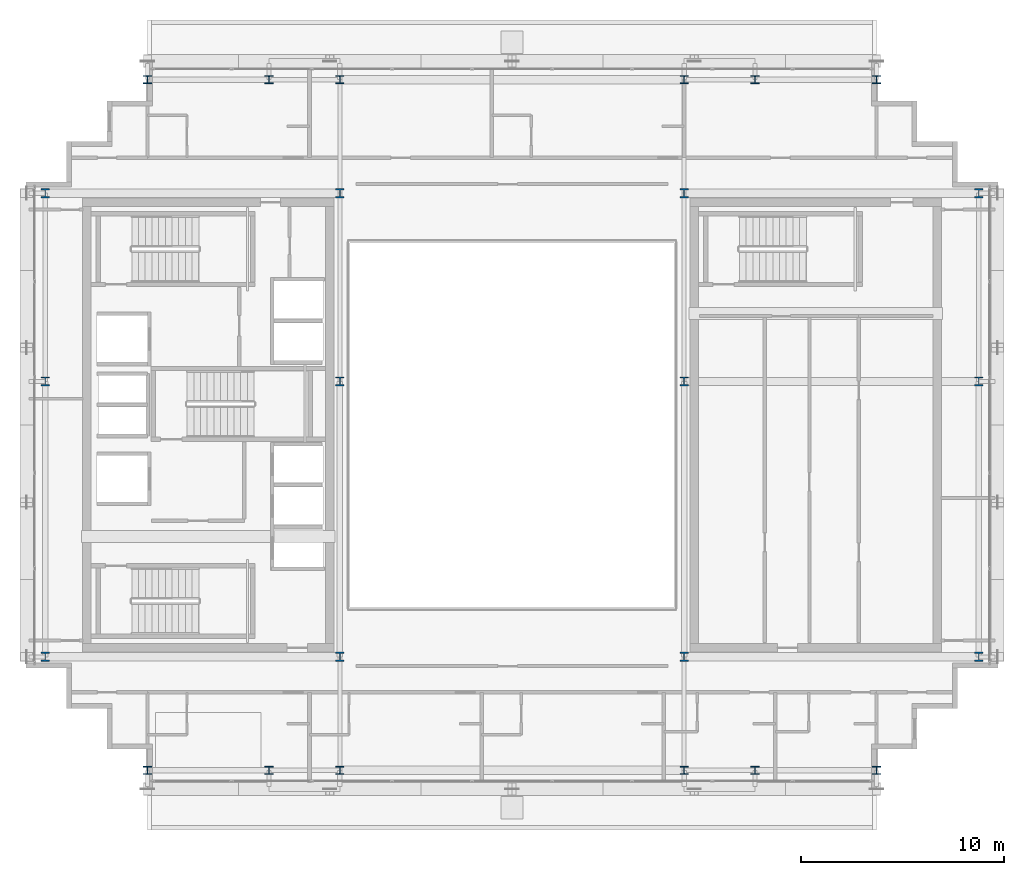
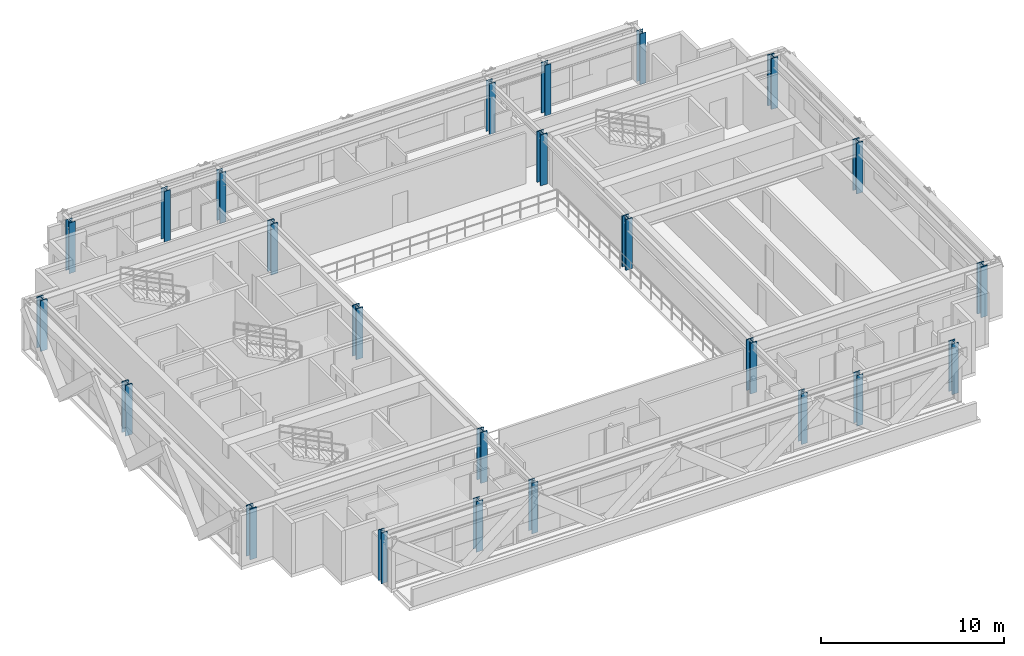
# One storey, part 1 of 27: 24 columns.
"""IFC4 building model written with IfcOpenShell, lengths in metres."""

from ifc_helpers import new_model, si_unit, direction, frame, origin, origin_2d, place, context, subcontext, project, spatial, i_section, extrude, source, transform, mapped, material, material_profile, profile_set, type_object, element, save


model = new_model("IFC4")

# Units and contexts
model_context = context("Model", 3, precision=1e-05, world=origin(), true_north=direction((0.0, 1.0)))
body_context = subcontext(model_context, "Body", "Model", "MODEL_VIEW")
ifc_project = project(units=[si_unit("LENGTHUNIT", "METRE"), si_unit("AREAUNIT", "SQUARE_METRE"), si_unit("VOLUMEUNIT", "CUBIC_METRE"), si_unit("PLANEANGLEUNIT", "RADIAN"), si_unit("MASSUNIT", "GRAM", prefix="KILO")], contexts=[model_context])

# Site, building, storey
site_placement = place(None, origin())
site = spatial("IfcSite", under=ifc_project, at=site_placement, CompositionType="ELEMENT")
building_placement = place(site_placement, origin())
building = spatial("IfcBuilding", under=site, at=building_placement, Name="Ocotamira Hotel", CompositionType="ELEMENT")
storey_placement = place(building_placement, frame((0.0, 0.0, 232.800048828125)))
storey = spatial("IfcBuildingStorey", under=building, at=storey_placement, Name="L58", CompositionType="ELEMENT", Elevation=232.800048828125)

# Columns
ifc_material_1 = material(Name="Steel ASTM A913 Grade 65", Category="steel")
ifc_material_profile_1 = material_profile(ifc_material_1, i_section(OverallWidth=0.422119140625, OverallDepth=0.465087890625, WebThickness=0.044921875, FlangeThickness=0.072509765625, FilletRadius=0.02490234375, at=origin_2d()), Name="W14X398")
ifc_profile_set_1 = profile_set([ifc_material_profile_1], Name="Steel ASTM A913 Grade 65")
column_type_1 = type_object("IfcColumnType", Name="COL-W14X398", PredefinedType="COLUMN", material=ifc_profile_set_1)
shared_shape_1 = source(origin(), body_context, "Body", "SweptSolid", [
    extrude(i_section(OverallWidth=0.422119140625, OverallDepth=0.465087890625, WebThickness=0.044921875, FlangeThickness=0.072509765625, FilletRadius=0.02490234375, at=origin_2d()), origin(), (0.0, 0.0, 1.0), 3.3798828125),
])
for number, where, z_axis, x_axis, name in (
    (1, (8.949951171875, 14.550048828125, 0.0), (0.0, 0.0, 1.0), (1.0, 0.0, 0.0), "L58 Column TW8_14"),
    (2, (23.5, 14.550048828125, 0.0), (0.0, 0.0, 1.0), (1.0, 0.0, 0.0), "L58 Column TW23_14"),
    (3, (40.5, 14.550048828125, 0.0), (0.0, 0.0, 1.0), (1.0, 0.0, 0.0), "L58 Column TE40_14"),
    (4, (55.050048828125, 14.550048828125, 0.0), (0.0, 0.0, 1.0), (1.0, 0.0, 0.0), "L58 Column TE55_14"),
    (5, (8.949951171875, 28.14990234375, 0.0), (0.0, 0.0, 1.0), (1.0, 0.0, 0.0), "L58 Column TW8_28"),
    (6, (23.5, 28.14990234375, 0.0), (0.0, 0.0, 1.0), (1.0, 0.0, 0.0), "L58 Column TW23_28"),
    (7, (40.5, 28.14990234375, 0.0), (0.0, 0.0, 1.0), (1.0, 0.0, 0.0), "L58 Column TE40_28"),
    (8, (55.050048828125, 28.14990234375, 0.0), (0.0, 0.0, 1.0), (1.0, 0.0, 0.0), "L58 Column TE55_28"),
    (9, (8.949951171875, 37.449951171875, 0.0), (0.0, 0.0, 1.0), (1.0, 0.0, 0.0), "L58 Column TW8_37"),
    (10, (23.5, 37.449951171875, 0.0), (0.0, 0.0, 1.0), (1.0, 0.0, 0.0), "L58 Column TW23_37"),
    (11, (40.5, 37.449951171875, 0.0), (0.0, 0.0, 1.0), (1.0, 0.0, 0.0), "L58 Column TE40_37"),
    (12, (55.050048828125, 37.449951171875, 0.0), (0.0, 0.0, 1.0), (1.0, 0.0, 0.0), "L58 Column TE55_37"),
):
    element("IfcColumn", number, at=place(storey_placement, frame(where, z_axis=z_axis, x_axis=x_axis)), inside=storey, type_object=column_type_1, Name=name, PredefinedType="COLUMN", context=body_context, shape_type="MappedRepresentation", body=[
        mapped(shared_shape_1, transform((0.0, 0.0, 0.0), scale=1.0)),
    ])
ifc_material_2 = material(Name="Steel ASTM A992 Grade 50", Category="steel")
ifc_material_profile_2 = material_profile(ifc_material_2, i_section(OverallWidth=0.39892578125, OverallDepth=0.386962890625, WebThickness=0.02099609375, FlangeThickness=0.033203125, FilletRadius=0.02490234375, at=origin_2d()), Name="W14X176")
ifc_profile_set_2 = profile_set([ifc_material_profile_2], Name="Steel ASTM A992 Grade 50")
column_type_2 = type_object("IfcColumnType", Name="COL-W14X176", PredefinedType="COLUMN", material=ifc_profile_set_2)
shared_shape_2 = source(origin(), body_context, "Body", "SweptSolid", [
    extrude(i_section(OverallWidth=0.39892578125, OverallDepth=0.386962890625, WebThickness=0.02099609375, FlangeThickness=0.033203125, FilletRadius=0.02490234375, at=origin_2d()), origin(), (0.0, 0.0, 1.0), 3.3798828125),
])
for number, where, z_axis, x_axis, name in (
    (13, (14.0, 8.949951171875, 0.0), (0.0, 0.0, 1.0), (1.0, 0.0, 0.0), "L58 Column NSP1_14"),
    (14, (20.0, 8.949951171875, 0.0), (0.0, 0.0, 1.0), (1.0, 0.0, 0.0), "L58 Column NSP1_20"),
    (15, (23.5, 8.949951171875, 0.0), (0.0, 0.0, 1.0), (1.0, 0.0, 0.0), "L58 Column NSP1_23"),
    (16, (40.5, 8.949951171875, 0.0), (0.0, 0.0, 1.0), (1.0, 0.0, 0.0), "L58 Column NSP1_40"),
    (17, (44.0, 8.949951171875, 0.0), (0.0, 0.0, 1.0), (1.0, 0.0, 0.0), "L58 Column NSP1_44"),
    (18, (50.0, 8.949951171875, 0.0), (0.0, 0.0, 1.0), (1.0, 0.0, 0.0), "L58 Column NSP1_50"),
    (19, (14.0, 43.050048828125, 0.0), (0.0, 0.0, 1.0), (1.0, 0.0, 0.0), "L58 Column NSP2_14"),
    (20, (20.0, 43.050048828125, 0.0), (0.0, 0.0, 1.0), (1.0, 0.0, 0.0), "L58 Column NSP2_20"),
    (21, (23.5, 43.050048828125, 0.0), (0.0, 0.0, 1.0), (1.0, 0.0, 0.0), "L58 Column NSP2_23"),
    (22, (40.5, 43.050048828125, 0.0), (0.0, 0.0, 1.0), (1.0, 0.0, 0.0), "L58 Column NSP2_40"),
    (23, (44.0, 43.050048828125, 0.0), (0.0, 0.0, 1.0), (1.0, 0.0, 0.0), "L58 Column NSP2_44"),
    (24, (50.0, 43.050048828125, 0.0), (0.0, 0.0, 1.0), (1.0, 0.0, 0.0), "L58 Column NSP2_50"),
):
    element("IfcColumn", number, at=place(storey_placement, frame(where, z_axis=z_axis, x_axis=x_axis)), inside=storey, type_object=column_type_2, Name=name, PredefinedType="COLUMN", context=body_context, shape_type="MappedRepresentation", body=[
        mapped(shared_shape_2, transform((0.0, 0.0, 0.0), scale=1.0)),
    ])

save(model, "model.ifc")
